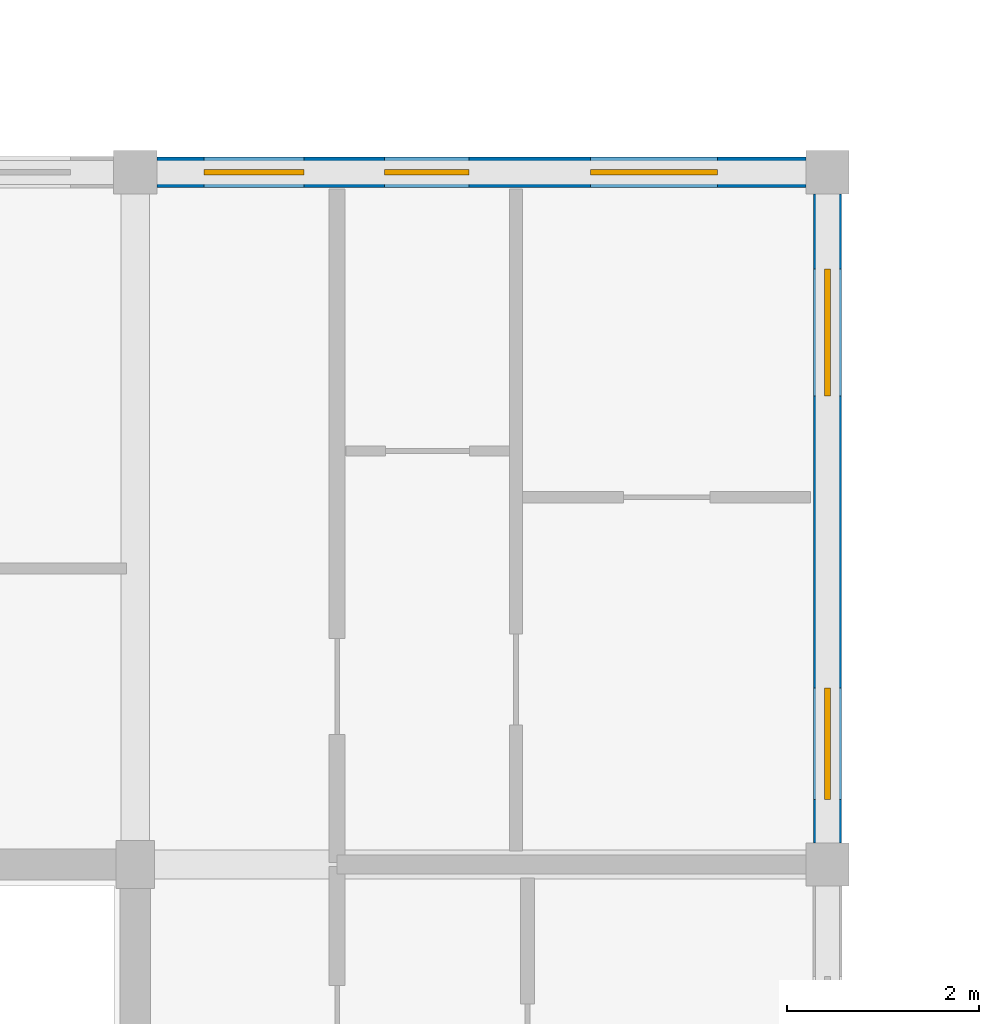
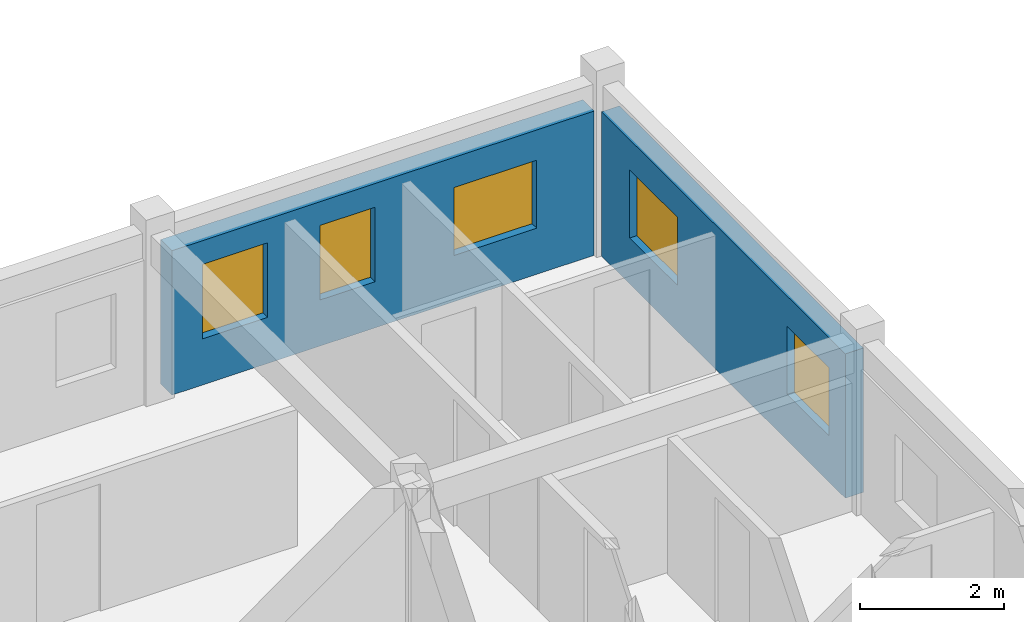
# One storey, part 16 of 23: 5 windows, 2 walls, 5 openings.
"""IFC4 building model written with IfcOpenShell, lengths in metres."""

from ifc_helpers import new_model, si_unit, direction, frame, frame_2d, origin, place, context, subcontext, project, spatial, rectangle, extrude, material, layer, layer_set, type_object, element, fill, save


model = new_model("IFC4")

# Units and contexts
model_context = context("Model", 3, precision=1e-05, world=origin(), true_north=direction((0.0, 1.0)))
body_context = subcontext(model_context, "Body", "Model", "MODEL_VIEW")
ifc_project = project(units=[si_unit("LENGTHUNIT", "METRE"), si_unit("AREAUNIT", "SQUARE_METRE"), si_unit("VOLUMEUNIT", "CUBIC_METRE"), si_unit("PLANEANGLEUNIT", "RADIAN"), si_unit("MASSUNIT", "GRAM", prefix="KILO"), si_unit("THERMODYNAMICTEMPERATUREUNIT", "KELVIN"), si_unit("POWERUNIT", "WATT")], contexts=[model_context])

# Site, building, storey
site_placement = place(None, origin())
site = spatial("IfcSite", under=ifc_project, at=site_placement, CompositionType="ELEMENT")
building_placement = place(site_placement, origin())
building = spatial("IfcBuilding", under=site, at=building_placement, Name="Tavuni Mirador Residences", CompositionType="ELEMENT")
storey_placement = place(building_placement, frame((0.0, 0.0, 42.300048828125)))
storey = spatial("IfcBuildingStorey", under=building, at=storey_placement, Name="L13", CompositionType="ELEMENT", Elevation=42.300048828125)

# Wall, openings, windows
ifc_material_1 = material(Name="Sgraffito lime-rendered precast concrete C40/50", Category="concrete")
ifc_layer_1 = layer(ifc_material_1, 0.2900390625, Name="Sgraffito lime-rendered precast concrete C40/50", Category="concrete")
ifc_layer_set_1 = layer_set([ifc_layer_1], Name="Sgraffito lime-rendered precast concrete C40/50")
wall_type_1 = type_object("IfcWallType", Name="WT-EXT-PC290", PredefinedType="SOLIDWALL", material=ifc_layer_set_1)
wall_1_placement = place(storey_placement, frame((25.199951171875, 36.22509765625, 0.0), z_axis=(0.0, 0.0, 1.0), x_axis=(0.0, 1.0, 0.0)))
wall_1 = element("IfcWall", 1, at=wall_1_placement, inside=storey, type_object=wall_type_1, Name="EW-BLK-A-L13-E04", PredefinedType="SOLIDWALL", context=body_context, shape_type="SweptSolid", body=[
    extrude(rectangle(XDim=6.75, YDim=0.2900390625, at=frame_2d((3.375, 0.0))), origin(), (0.0, 0.0, 1.0), 2.43994140625),
])
opening_1_placement = place(wall_1_placement, frame((0.449951171875, 0.0, 0.780029296875)))
opening_1 = element("IfcOpeningElement", 2, at=opening_1_placement, cuts=wall_1, Name="Opening WN-05", PredefinedType="OPENING", context=body_context, shape_type="SweptSolid", body=[
    extrude(rectangle(XDim=1.159912109375, YDim=1.14990234375, at=frame_2d((0.580078125, 0.574951171875))), frame((0.0, 0.155029296875, 0.0), z_axis=(0.0, -1.0, 0.0), x_axis=(1.0, 0.0, 0.0)), (0.0, 0.0, 1.0), 0.31005859375),
])
opening_2_placement = place(wall_1_placement, frame((4.64990234375, 0.0, 0.780029296875)))
opening_2 = element("IfcOpeningElement", 3, at=opening_2_placement, cuts=wall_1, Name="Opening WN-07", PredefinedType="OPENING", context=body_context, shape_type="SweptSolid", body=[
    extrude(rectangle(XDim=1.320068359375, YDim=1.14990234375, at=frame_2d((0.66015625, 0.574951171875))), frame((0.0, 0.155029296875, 0.0), z_axis=(0.0, -1.0, 0.0), x_axis=(1.0, 0.0, 0.0)), (0.0, 0.0, 1.0), 0.31005859375),
])
ifc_material_2 = material(Name="Laminated solar-control glass", Category="glass")
window_type_1 = type_object("IfcWindowType", Name="WNT-05", PartitioningType="SINGLE_PANEL", PredefinedType="WINDOW", material=ifc_material_2)
window_1_placement = place(opening_1_placement, origin())
window_1 = element("IfcWindow", 4, at=window_1_placement, inside=storey, type_object=window_type_1, Name="WIN-0471", OverallHeight=1.14990234375, OverallWidth=1.159912109375, PartitioningType="SINGLE_PANEL", PredefinedType="WINDOW", context=body_context, shape_type="SweptSolid", body=[
    extrude(rectangle(XDim=1.159912109375, YDim=1.14990234375, at=frame_2d((0.580078125, 0.574951171875))), frame((0.0, 0.030029296875, 0.0), z_axis=(0.0, -1.0, 0.0), x_axis=(1.0, 0.0, 0.0)), (0.0, 0.0, 1.0), 0.06005859375),
])
fill(opening_1, window_1)
window_type_2 = type_object("IfcWindowType", Name="WNT-07", PartitioningType="SINGLE_PANEL", PredefinedType="WINDOW", material=ifc_material_2)
window_2_placement = place(opening_2_placement, origin())
window_2 = element("IfcWindow", 5, at=window_2_placement, inside=storey, type_object=window_type_2, Name="WIN-0472", OverallHeight=1.14990234375, OverallWidth=1.320068359375, PartitioningType="SINGLE_PANEL", PredefinedType="WINDOW", context=body_context, shape_type="SweptSolid", body=[
    extrude(rectangle(XDim=1.320068359375, YDim=1.14990234375, at=frame_2d((0.66015625, 0.574951171875))), frame((0.0, 0.030029296875, 0.0), z_axis=(0.0, -1.0, 0.0), x_axis=(1.0, 0.0, 0.0)), (0.0, 0.0, 1.0), 0.06005859375),
])
fill(opening_2, window_2)

ifc_layer_2 = layer(ifc_material_1, 0.31494140625, Name="Sgraffito lime-rendered precast concrete C40/50", Category="concrete")
ifc_layer_set_2 = layer_set([ifc_layer_2], Name="Sgraffito lime-rendered precast concrete C40/50")
wall_type_2 = type_object("IfcWallType", Name="WT-EXT-PC315", PredefinedType="SOLIDWALL", material=ifc_layer_set_2)
wall_2_placement = place(storey_placement, frame((24.97509765625, 43.199951171875, 0.0), z_axis=(0.0, 0.0, 1.0), x_axis=(-1.0, 0.0, 0.0)))
wall_2 = element("IfcWall", 6, at=wall_2_placement, inside=storey, type_object=wall_type_2, Name="EW-BLK-A-L13-N02", PredefinedType="SOLIDWALL", context=body_context, shape_type="SweptSolid", body=[
    extrude(rectangle(XDim=6.75, YDim=0.31494140625, at=frame_2d((3.375, 0.0))), origin(), (0.0, 0.0, 1.0), 2.43994140625),
])
opening_3_placement = place(wall_2_placement, frame((0.91748046875, 0.0, 0.780029296875)))
opening_3 = element("IfcOpeningElement", 7, at=opening_3_placement, cuts=wall_2, Name="Opening WN-07", PredefinedType="OPENING", context=body_context, shape_type="SweptSolid", body=[
    extrude(rectangle(XDim=1.320068359375, YDim=1.14990234375, at=frame_2d((0.66015625, 0.574951171875))), frame((0.0, 0.16748046875, 0.0), z_axis=(0.0, -1.0, 0.0), x_axis=(1.0, 0.0, 0.0)), (0.0, 0.0, 1.0), 0.3349609375),
])
opening_4_placement = place(wall_2_placement, frame((3.5048828125, 0.0, 0.780029296875)))
opening_4 = element("IfcOpeningElement", 8, at=opening_4_placement, cuts=wall_2, Name="Opening WN-09", PredefinedType="OPENING", context=body_context, shape_type="SweptSolid", body=[
    extrude(rectangle(XDim=0.8798828125, YDim=1.260009765625, at=frame_2d((0.43994140625, 0.6298828125))), frame((0.0, 0.16748046875, 0.0), z_axis=(0.0, -1.0, 0.0), x_axis=(1.0, 0.0, 0.0)), (0.0, 0.0, 1.0), 0.3349609375),
])
opening_5_placement = place(wall_2_placement, frame((5.222412109375, 0.0, 0.780029296875)))
opening_5 = element("IfcOpeningElement", 9, at=opening_5_placement, cuts=wall_2, Name="Opening WN-11", PredefinedType="OPENING", context=body_context, shape_type="SweptSolid", body=[
    extrude(rectangle(XDim=1.0400390625, YDim=1.260009765625, at=frame_2d((0.52001953125, 0.6298828125))), frame((0.0, 0.16748046875, 0.0), z_axis=(0.0, -1.0, 0.0), x_axis=(1.0, 0.0, 0.0)), (0.0, 0.0, 1.0), 0.3349609375),
])
window_3_placement = place(opening_3_placement, origin())
window_3 = element("IfcWindow", 10, at=window_3_placement, inside=storey, type_object=window_type_2, Name="WIN-0473", OverallHeight=1.14990234375, OverallWidth=1.320068359375, PartitioningType="SINGLE_PANEL", PredefinedType="WINDOW", context=body_context, shape_type="SweptSolid", body=[
    extrude(rectangle(XDim=1.320068359375, YDim=1.14990234375, at=frame_2d((0.66015625, 0.574951171875))), frame((0.0, 0.030029296875, 0.0), z_axis=(0.0, -1.0, 0.0), x_axis=(1.0, 0.0, 0.0)), (0.0, 0.0, 1.0), 0.06005859375),
])
fill(opening_3, window_3)
window_type_3 = type_object("IfcWindowType", Name="WNT-09", PartitioningType="SINGLE_PANEL", PredefinedType="WINDOW", material=ifc_material_2)
window_4_placement = place(opening_4_placement, origin())
window_4 = element("IfcWindow", 11, at=window_4_placement, inside=storey, type_object=window_type_3, Name="WIN-0474", OverallHeight=1.260009765625, OverallWidth=0.8798828125, PartitioningType="SINGLE_PANEL", PredefinedType="WINDOW", context=body_context, shape_type="SweptSolid", body=[
    extrude(rectangle(XDim=0.8798828125, YDim=1.260009765625, at=frame_2d((0.43994140625, 0.6298828125))), frame((0.0, 0.030029296875, 0.0), z_axis=(0.0, -1.0, 0.0), x_axis=(1.0, 0.0, 0.0)), (0.0, 0.0, 1.0), 0.06005859375),
])
fill(opening_4, window_4)
window_type_4 = type_object("IfcWindowType", Name="WNT-11", PartitioningType="SINGLE_PANEL", PredefinedType="WINDOW", material=ifc_material_2)
window_5_placement = place(opening_5_placement, origin())
window_5 = element("IfcWindow", 12, at=window_5_placement, inside=storey, type_object=window_type_4, Name="WIN-0475", OverallHeight=1.260009765625, OverallWidth=1.0400390625, PartitioningType="SINGLE_PANEL", PredefinedType="WINDOW", context=body_context, shape_type="SweptSolid", body=[
    extrude(rectangle(XDim=1.0400390625, YDim=1.260009765625, at=frame_2d((0.52001953125, 0.6298828125))), frame((0.0, 0.030029296875, 0.0), z_axis=(0.0, -1.0, 0.0), x_axis=(1.0, 0.0, 0.0)), (0.0, 0.0, 1.0), 0.06005859375),
])
fill(opening_5, window_5)

save(model, "model.ifc")
